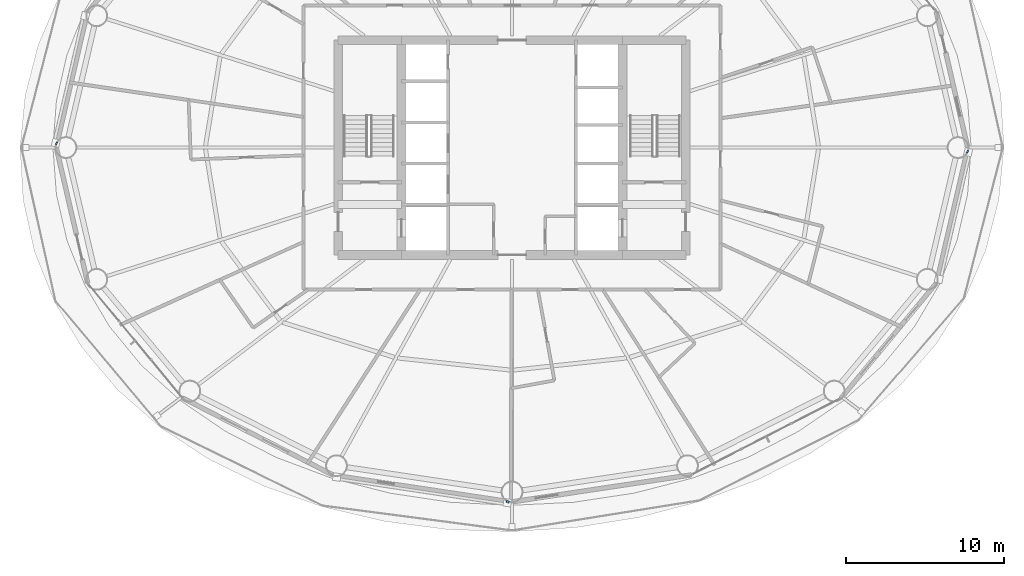
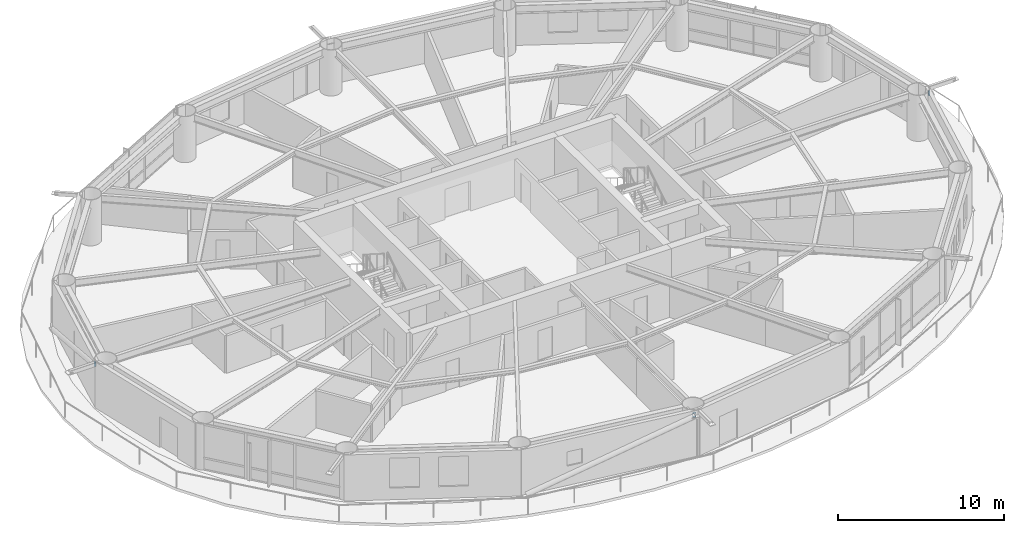
# One storey, part 13 of 24: 3 members.
"""IFC4 building model written with IfcOpenShell, lengths in metres."""

import ifcopenshell
import ifcopenshell.guid

model = None  # the IFC model being written
_history = None  # IfcOwnerHistory: only IFC2X3 demands one
_inside = {}  # id of a spatial element -> (the spatial element, [elements in it])
_under = {}  # id of a project, library or spatial element -> (it, [spatial elements below it])
_declared = {}  # id of a project -> (the project, [libraries it declares])
_typed = {}  # id of a type object -> (the type object, [elements of that type])
_made_of = {}  # id of a material, layer set ... -> (it, [elements and type objects made of it])


def new_model(schema):
    """Start an empty IFC model of exactly this schema.

    Asked for "IFC4X3", IfcOpenShell would pick the latest addendum, in which some entities
    have other attributes; the version numbers below select the first issue.
    IFC2X3 requires an IfcOwnerHistory on every rooted entity: one is made here for all.
    """
    global model, _history
    if schema == "IFC4X3":
        model = ifcopenshell.file(schema_version=(4, 3, 0, 0))
    else:
        model = ifcopenshell.file(schema=schema)
    _inside.clear()
    _under.clear()
    _declared.clear()
    _typed.clear()
    _made_of.clear()
    _history = None
    if model.schema == "IFC2X3":
        org = make("IfcOrganization", Name="unknown")
        user = make(
            "IfcPersonAndOrganization",
            ThePerson=make("IfcPerson", FamilyName="unknown"),
            TheOrganization=org,
        )
        app = make(
            "IfcApplication",
            ApplicationDeveloper=org,
            Version="unknown",
            ApplicationFullName="unknown",
            ApplicationIdentifier="unknown",
        )
        _history = make(
            "IfcOwnerHistory",
            OwningUser=user,
            OwningApplication=app,
            ChangeAction="ADDED",
            CreationDate=0,
        )
    return model


def make(cls, **values):
    """One entity of the class cls with the attributes given. An attribute that is None is left unset."""
    return model.create_entity(
        cls, **{name: value for name, value in values.items() if value is not None}
    )


def rooted(cls, **values):
    """An entity with a GlobalId (a new one), such as an element, a storey or a relation."""
    return make(cls, GlobalId=ifcopenshell.guid.new(), OwnerHistory=_history, **values)


def si_unit(unit_type, name, prefix=None):
    """IfcSIUnit, for example si_unit("LENGTHUNIT", "METRE", prefix="MILLI")."""
    return make("IfcSIUnit", UnitType=unit_type, Prefix=prefix, Name=name)


def assignment(units):
    """IfcUnitAssignment: the units of a project."""
    return None if units is None else make("IfcUnitAssignment", Units=units)


def point(xyz):
    """IfcCartesianPoint."""
    return None if xyz is None else make("IfcCartesianPoint", Coordinates=xyz)


def direction(xyz):
    """IfcDirection."""
    return None if xyz is None else make("IfcDirection", DirectionRatios=xyz)


def frame(location, z_axis=None, x_axis=None):
    """IfcAxis2Placement3D, a coordinate frame: its origin and axes. An axis left out is left unset."""
    return make(
        "IfcAxis2Placement3D",
        Location=point(location),
        Axis=direction(z_axis),
        RefDirection=direction(x_axis),
    )


def frame_2d(location, x_axis=None):
    """IfcAxis2Placement2D, a coordinate frame in the plane: its origin and x axis."""
    return make(
        "IfcAxis2Placement2D", Location=point(location), RefDirection=direction(x_axis)
    )


def origin():
    """The frame at (0, 0, 0) with its axes left unset."""
    return frame((0.0, 0.0, 0.0))


def origin_2d():
    """The frame at (0, 0) in the plane with its x axis left unset."""
    return frame_2d((0.0, 0.0))


def place(relative_to, where):
    """IfcLocalPlacement: puts the frame where relative to a parent placement (None: the world)."""
    return make(
        "IfcLocalPlacement", PlacementRelTo=relative_to, RelativePlacement=where
    )


def context(
    kind, dimensions, precision=None, world=None, true_north=None, identifier=None
):
    """IfcGeometricRepresentationContext, for example the 3D "Model" context."""
    return make(
        "IfcGeometricRepresentationContext",
        ContextIdentifier=identifier,
        ContextType=kind,
        CoordinateSpaceDimension=dimensions,
        Precision=precision,
        WorldCoordinateSystem=world,
        TrueNorth=true_north,
    )


def subcontext(parent, identifier, kind, view, scale=None):
    """IfcGeometricRepresentationSubContext, for example "Body" below "Model"."""
    return make(
        "IfcGeometricRepresentationSubContext",
        ContextIdentifier=identifier,
        ContextType=kind,
        ParentContext=parent,
        TargetScale=scale,
        TargetView=view,
    )


def project(units=None, contexts=None):
    """IfcProject with its units and contexts."""
    return rooted(
        "IfcProject",
        Name="project",
        RepresentationContexts=contexts,
        UnitsInContext=assignment(units),
    )


def spatial(cls, under=None, at=None, **own):
    """A site, building, storey or space (cls), placed at a placement, below another one or the project."""
    s = rooted(cls, ObjectPlacement=at, **own)
    if under is not None:
        _under.setdefault(under.id(), (under, []))[1].append(s)
    return s


def profile(cls, at=None, kind="AREA", **sizes):
    """A parametric profile (cls). Its sizes go by their IFC names, for example OverallWidth=200.0."""
    return make(cls, ProfileType=kind, Position=at, **sizes)


def hollow_rectangle(**sizes):
    """IfcRectangleHollowProfileDef."""
    return profile("IfcRectangleHollowProfileDef", **sizes)


def extrude(swept, where, along, depth):
    """IfcExtrudedAreaSolid: the profile swept, set in the frame where, extruded along a direction by depth."""
    return make(
        "IfcExtrudedAreaSolid",
        SweptArea=swept,
        Position=where,
        ExtrudedDirection=direction(along),
        Depth=depth,
    )


def shape(context_of_items, identifier, shape_type, items):
    """IfcShapeRepresentation: the items that make up one representation, for example the "Body"."""
    return make(
        "IfcShapeRepresentation",
        ContextOfItems=context_of_items,
        RepresentationIdentifier=identifier,
        RepresentationType=shape_type,
        Items=items,
    )


def material(Name=None, Category=None):
    """IfcMaterial."""
    return make("IfcMaterial", Name=Name, Category=Category)


def material_profile(
    of_material, cross_section, Name=None, Category=None, Priority=None
):
    """IfcMaterialProfile: a cross section and its material."""
    return make(
        "IfcMaterialProfile",
        Name=Name,
        Material=of_material,
        Profile=cross_section,
        Priority=Priority,
        Category=Category,
    )


def profile_set(profiles, Name=None, composite=None):
    """IfcMaterialProfileSet."""
    return make(
        "IfcMaterialProfileSet",
        Name=Name,
        MaterialProfiles=profiles,
        CompositeProfile=composite,
    )


def made_of(thing, what):
    """Note that an element or type object is made of a material, layer set ...; save() writes the relation."""
    if what is not None:
        _made_of.setdefault(what.id(), (what, []))[1].append(thing)
    return thing


def type_object(cls, material=None, **own):
    """A type object (cls), such as IfcWallType, which elements share."""
    return made_of(rooted(cls, **own), material)


def element(
    cls,
    number,
    at=None,
    inside=None,
    cuts=None,
    type_object=None,
    material=None,
    context=None,
    identifier="Body",
    shape_type=None,
    held_by="IfcProductDefinitionShape",
    body=None,
    shapes=None,
    **own,
):
    """One element of the class cls, such as IfcWall. Its Tag is "e" and its number.

    at: its placement. inside: the storey or other place that contains it. cuts: it is an
    opening in that element (IfcRelVoidsElement). A single representation is given by context,
    identifier, shape_type and body (its items); several are given by shapes. held_by: the class
    of the entity that holds the representations. save() writes the other relations.
    """
    e = rooted(cls, Tag="e%d" % number, ObjectPlacement=at, **own)
    if body is not None:
        shapes = [shape(context, identifier, shape_type, body)]
    if shapes is not None:
        e.Representation = make(held_by, Representations=shapes)
    if inside is not None:
        _inside.setdefault(inside.id(), (inside, []))[1].append(e)
    if cuts is not None:
        rooted(
            "IfcRelVoidsElement", RelatingBuildingElement=cuts, RelatedOpeningElement=e
        )
    if type_object is not None:
        _typed.setdefault(type_object.id(), (type_object, []))[1].append(e)
    return made_of(e, material)


def aggregate(whole, parts):
    """IfcRelAggregates: a whole, such as a stair, and the parts it consists of."""
    return rooted("IfcRelAggregates", RelatingObject=whole, RelatedObjects=parts)


def save(model, path):
    """Write the relations noted so far, then the file.

    IfcRelAggregates (storeys below a building ...), IfcRelContainedInSpatialStructure (elements
    in a storey), IfcRelDefinesByType, IfcRelAssociatesMaterial and IfcRelDeclares: one each for
    every whole, place, type object, material and project.
    """
    for whole, parts in _under.values():
        aggregate(whole, parts)
    for where, things in _inside.values():
        rooted(
            "IfcRelContainedInSpatialStructure",
            RelatedElements=things,
            RelatingStructure=where,
        )
    for kind, things in _typed.values():
        rooted("IfcRelDefinesByType", RelatedObjects=things, RelatingType=kind)
    for what, things in _made_of.values():
        rooted("IfcRelAssociatesMaterial", RelatedObjects=things, RelatingMaterial=what)
    for by, libraries in _declared.values():
        rooted("IfcRelDeclares", RelatingContext=by, RelatedDefinitions=libraries)
    model.write(path)


model = new_model("IFC4")

# Units and contexts
model_context = context("Model", 3, precision=1e-05, world=origin(), true_north=direction((0.0, 1.0)))
body_context = subcontext(model_context, "Body", "Model", "MODEL_VIEW")
ifc_project = project(units=[si_unit("LENGTHUNIT", "METRE"), si_unit("AREAUNIT", "SQUARE_METRE"), si_unit("VOLUMEUNIT", "CUBIC_METRE"), si_unit("PLANEANGLEUNIT", "RADIAN"), si_unit("MASSUNIT", "GRAM", prefix="KILO")], contexts=[model_context])

# Site, building, storey
site_placement = place(None, origin())
site = spatial("IfcSite", under=ifc_project, at=site_placement, CompositionType="ELEMENT")
building_placement = place(site_placement, origin())
building = spatial("IfcBuilding", under=site, at=building_placement, Name="Sarneth Arch Tower", CompositionType="ELEMENT")
storey_placement = place(building_placement, frame((0.0, 0.0, 120.0)))
storey = spatial("IfcBuildingStorey", under=building, at=storey_placement, Name="L30", CompositionType="ELEMENT", Elevation=120.0)

# Members
ifc_material = material(Name="Steel S355", Category="steel")
ifc_material_profile = material_profile(ifc_material, hollow_rectangle(XDim=0.199951171875, YDim=0.300048828125, WallThickness=0.012451171875, InnerFilletRadius=0.018798828125, OuterFilletRadius=0.03125, at=origin_2d()), Name="RHS300x200x12.5")
ifc_profile_set = profile_set([ifc_material_profile], Name="Steel S355")
member_type = type_object("IfcMemberType", Name="MEM-CANT-STRUT", PredefinedType="STRUT", material=ifc_profile_set)
member_1_placement = place(storey_placement, frame((19.21044921875, 42.251708984375, 3.013427734375), z_axis=(-0.910281049829, 0.413990833621, 0.0), x_axis=(-0.413990833621, -0.910281049829, 0.0)))
element("IfcMember", 1, at=member_1_placement, inside=storey, type_object=member_type, Name="L30 Exoskeleton brace node strut 08B", PredefinedType="STRUT", context=body_context, shape_type="SweptSolid", body=[
    extrude(hollow_rectangle(XDim=0.199951171875, YDim=0.300048828125, WallThickness=0.012451171875, InnerFilletRadius=0.018798828125, OuterFilletRadius=0.03125, at=origin_2d()), origin(), (0.0, 0.0, 1.0), 0.097900390625),
])
member_2_placement = place(storey_placement, frame((47.7587890625, 19.642578125, 3.013427734375), z_axis=(-0.397509148639, -0.917598210955, 0.0), x_axis=(0.917598210955, -0.397509148639, 0.0)))
element("IfcMember", 2, at=member_2_placement, inside=storey, type_object=member_type, Name="L30 Exoskeleton brace node strut 12B", PredefinedType="STRUT", context=body_context, shape_type="SweptSolid", body=[
    extrude(hollow_rectangle(XDim=0.199951171875, YDim=0.300048828125, WallThickness=0.012451171875, InnerFilletRadius=0.018798828125, OuterFilletRadius=0.03125, at=origin_2d()), origin(), (0.0, 0.0, 1.0), 0.139404296875),
])
member_3_placement = place(storey_placement, frame((76.78955078125, 41.748291015625, 3.013427734375), z_axis=(0.910281049829, -0.413990833621, 0.0), x_axis=(0.413990833621, 0.910281049829, 0.0)))
element("IfcMember", 3, at=member_3_placement, inside=storey, type_object=member_type, Name="L30 Exoskeleton brace node strut 16B", PredefinedType="STRUT", context=body_context, shape_type="SweptSolid", body=[
    extrude(hollow_rectangle(XDim=0.199951171875, YDim=0.300048828125, WallThickness=0.012451171875, InnerFilletRadius=0.018798828125, OuterFilletRadius=0.03125, at=origin_2d()), origin(), (0.0, 0.0, 1.0), 0.097900390625),
])

save(model, "model.ifc")
